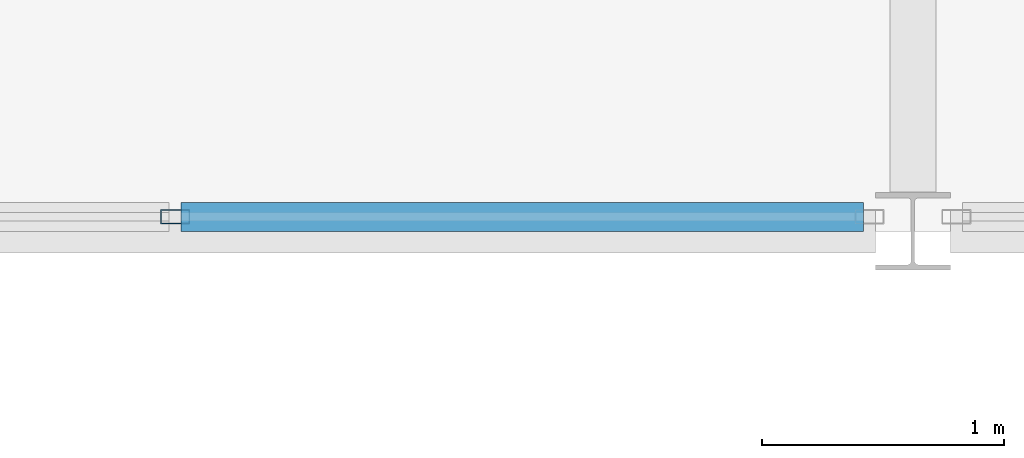
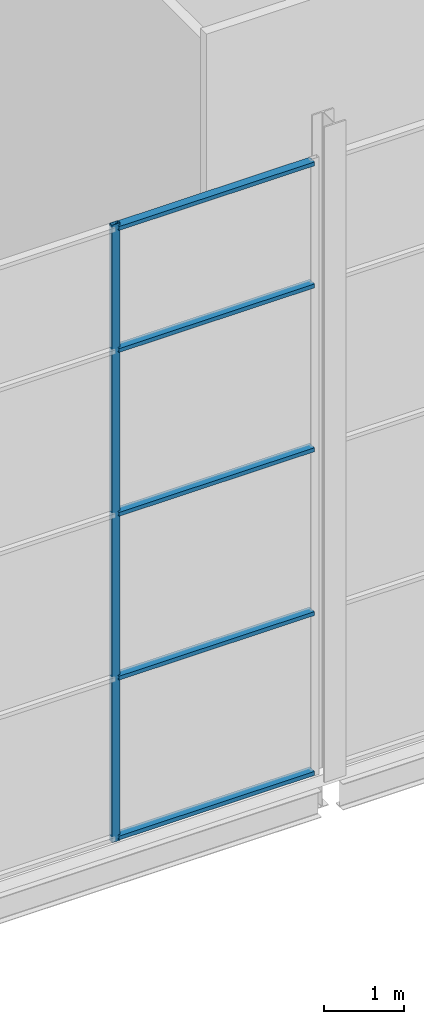
# One storey, part 40 of 111: 6 members, 1 element without a shape of its own.
"""IFC4 building model written with IfcOpenShell, lengths in metres."""

from ifc_helpers import new_model, si_unit, direction, frame, origin, origin_2d, place, context, subcontext, project, spatial, hollow_rectangle, extrude, material, layer, layer_set, material_profile, profile_set, type_object, element, aggregate, save


model = new_model("IFC4")

# Units and contexts
model_context = context("Model", 3, precision=1e-05, world=origin(), true_north=direction((0.0, 1.0)))
body_context = subcontext(model_context, "Body", "Model", "MODEL_VIEW")
ifc_project = project(units=[si_unit("LENGTHUNIT", "METRE"), si_unit("AREAUNIT", "SQUARE_METRE"), si_unit("VOLUMEUNIT", "CUBIC_METRE"), si_unit("PLANEANGLEUNIT", "RADIAN"), si_unit("MASSUNIT", "GRAM", prefix="KILO")], contexts=[model_context])

# Site, building, storey
site_placement = place(None, origin())
site = spatial("IfcSite", under=ifc_project, at=site_placement, CompositionType="ELEMENT")
building_placement = place(site_placement, origin())
building = spatial("IfcBuilding", under=site, at=building_placement, Name="Shorebreak Coast Museum", CompositionType="ELEMENT")
storey_placement = place(building_placement, frame((0.0, 0.0, 16.0)))
storey = spatial("IfcBuildingStorey", under=building, at=storey_placement, Name="L03", CompositionType="ELEMENT", Elevation=16.0)

# Curtain wall, members
ifc_material_1 = material(Name="Aluminium", Category="aluminium")
ifc_layer = layer(ifc_material_1, 0.1201171875)
ifc_layer_set = layer_set([ifc_layer], Name="Aluminium")
curtain_wall_type = type_object("IfcCurtainWallType", Name="Atrium fire screen", PredefinedType="NOTDEFINED", material=ifc_layer_set)
curtain_wall_placement = place(storey_placement, origin())
curtain_wall = element("IfcCurtainWall", 1, at=curtain_wall_placement, inside=storey, type_object=curtain_wall_type, Name="Atrium screen L03 N 39", PredefinedType="NOTDEFINED")
ifc_material_2 = material(Name="Aluminium", Category="aluminium")
ifc_material_profile_1 = material_profile(ifc_material_2, hollow_rectangle(XDim=0.06005859375, YDim=0.1201171875, WallThickness=0.00341796875, at=origin_2d()), Name="AL 120x60 RHS")
ifc_profile_set_1 = profile_set([ifc_material_profile_1], Name="Aluminium")
member_type_1 = type_object("IfcMemberType", Name="Screen mullion 50 x 120", PredefinedType="MULLION", material=ifc_profile_set_1)
member_1_placement = place(storey_placement, frame((68.948486328125, 81.06005859375, 0.0), z_axis=(0.0, 0.0, 1.0), x_axis=(0.0, 1.0, 0.0)))
member_1 = element("IfcMember", 2, at=member_1_placement, type_object=member_type_1, Name="CW4 mullion 3", PredefinedType="MULLION", context=body_context, shape_type="SweptSolid", body=[
    extrude(hollow_rectangle(XDim=0.06005859375, YDim=0.1201171875, WallThickness=0.00341796875, at=origin_2d()), origin(), (0.0, 0.0, 1.0), 9.42236328125),
])
ifc_material_3 = material(Name="Aluminium", Category="aluminium")
ifc_material_profile_2 = material_profile(ifc_material_3, hollow_rectangle(XDim=0.1201171875, YDim=0.06005859375, WallThickness=0.00341796875, at=origin_2d()), Name="AL 60x120 RHS")
ifc_profile_set_2 = profile_set([ifc_material_profile_2], Name="Aluminium")
member_type_2 = type_object("IfcMemberType", Name="Screen transom 120 x 50", PredefinedType="USERDEFINED", material=ifc_profile_set_2)
member_2_placement = place(storey_placement, frame((68.973388671875, 81.06005859375, 0.06005859375), z_axis=(1.0, 0.0, 0.0), x_axis=(0.0, 1.0, 0.0)))
member_2 = element("IfcMember", 3, at=member_2_placement, type_object=member_type_2, Name="CW4 transom 3.1", ObjectType="TRANSOM", PredefinedType="USERDEFINED", context=body_context, shape_type="SweptSolid", body=[
    extrude(hollow_rectangle(XDim=0.1201171875, YDim=0.06005859375, WallThickness=0.00341796875, at=origin_2d()), origin(), (0.0, 0.0, 1.0), 2.822021484375),
])
member_3_placement = place(storey_placement, frame((68.973388671875, 81.06005859375, 2.5), z_axis=(1.0, 0.0, 0.0), x_axis=(0.0, 1.0, 0.0)))
member_3 = element("IfcMember", 4, at=member_3_placement, type_object=member_type_2, Name="CW4 transom 3.2", ObjectType="TRANSOM", PredefinedType="USERDEFINED", context=body_context, shape_type="SweptSolid", body=[
    extrude(hollow_rectangle(XDim=0.1201171875, YDim=0.06005859375, WallThickness=0.00341796875, at=origin_2d()), origin(), (0.0, 0.0, 1.0), 2.822021484375),
])
member_4_placement = place(storey_placement, frame((68.973388671875, 81.06005859375, 5.0), z_axis=(1.0, 0.0, 0.0), x_axis=(0.0, 1.0, 0.0)))
member_4 = element("IfcMember", 5, at=member_4_placement, type_object=member_type_2, Name="CW4 transom 3.3", ObjectType="TRANSOM", PredefinedType="USERDEFINED", context=body_context, shape_type="SweptSolid", body=[
    extrude(hollow_rectangle(XDim=0.1201171875, YDim=0.06005859375, WallThickness=0.00341796875, at=origin_2d()), origin(), (0.0, 0.0, 1.0), 2.822021484375),
])
member_5_placement = place(storey_placement, frame((68.973388671875, 81.06005859375, 7.5), z_axis=(1.0, 0.0, 0.0), x_axis=(0.0, 1.0, 0.0)))
member_5 = element("IfcMember", 6, at=member_5_placement, type_object=member_type_2, Name="CW4 transom 3.4", ObjectType="TRANSOM", PredefinedType="USERDEFINED", context=body_context, shape_type="SweptSolid", body=[
    extrude(hollow_rectangle(XDim=0.1201171875, YDim=0.06005859375, WallThickness=0.00341796875, at=origin_2d()), origin(), (0.0, 0.0, 1.0), 2.822021484375),
])
member_6_placement = place(storey_placement, frame((68.973388671875, 81.06005859375, 9.3623046875), z_axis=(1.0, 0.0, 0.0), x_axis=(0.0, 1.0, 0.0)))
member_6 = element("IfcMember", 7, at=member_6_placement, type_object=member_type_2, Name="CW4 transom 3.5", ObjectType="TRANSOM", PredefinedType="USERDEFINED", context=body_context, shape_type="SweptSolid", body=[
    extrude(hollow_rectangle(XDim=0.1201171875, YDim=0.06005859375, WallThickness=0.00341796875, at=origin_2d()), origin(), (0.0, 0.0, 1.0), 2.822021484375),
])
aggregate(curtain_wall, [member_1, member_2, member_3, member_4, member_5, member_6])

save(model, "model.ifc")
